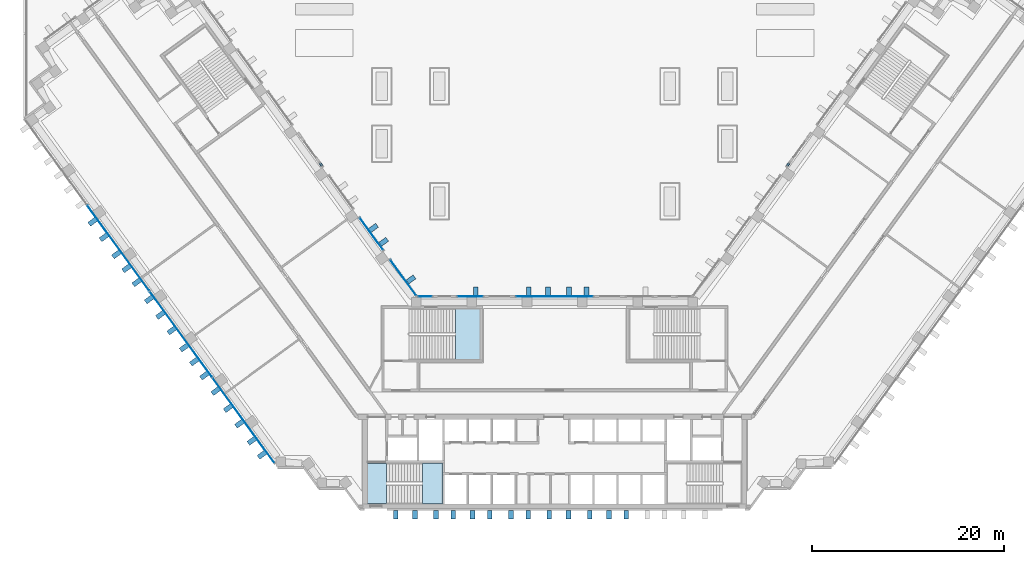
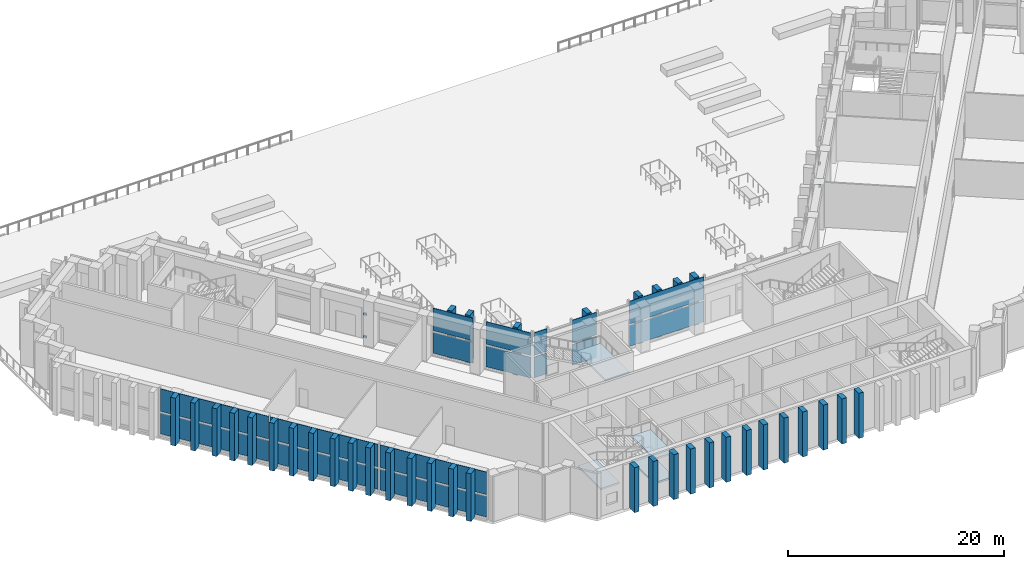
# One storey, part 8 of 25: 53 plates, 4 members, 4 slabs, 10 elements without a shape of their own.
"""IFC4 building model written with IfcOpenShell, lengths in metres."""

from ifc_helpers import new_model, si_unit, direction, frame, origin, origin_2d, place, context, subcontext, project, spatial, polyline, rectangle, outline, extrude, material, layer, layer_set, material_profile, profile_set, type_object, element, aggregate, save


model = new_model("IFC4")

# Units and contexts
model_context = context("Model", 3, precision=1e-05, world=origin(), true_north=direction((0.0, 1.0)))
body_context = subcontext(model_context, "Body", "Model", "MODEL_VIEW")
ifc_project = project(units=[si_unit("LENGTHUNIT", "METRE"), si_unit("AREAUNIT", "SQUARE_METRE"), si_unit("VOLUMEUNIT", "CUBIC_METRE"), si_unit("PLANEANGLEUNIT", "RADIAN"), si_unit("MASSUNIT", "GRAM", prefix="KILO")], contexts=[model_context])

# Site, building, storey
site_placement = place(None, origin())
site = spatial("IfcSite", under=ifc_project, at=site_placement, CompositionType="ELEMENT")
building_placement = place(site_placement, origin())
building = spatial("IfcBuilding", under=site, at=building_placement, Name="Quipu Civic Tower", CompositionType="ELEMENT")
storey_placement = place(building_placement, frame((0.0, 0.0, 6.0)))
storey = spatial("IfcBuildingStorey", under=building, at=storey_placement, Name="L01", CompositionType="ELEMENT", Elevation=6.0)

# Curtain wall, members
ifc_material_1 = material(Name="Insulated glass unit", Category="glass")
curtain_wall_type = type_object("IfcCurtainWallType", Name="Council chamber curtain wall CW4", PredefinedType="NOTDEFINED", material=ifc_material_1)
curtain_wall_1_placement = place(storey_placement, origin())
curtain_wall_1 = element("IfcCurtainWall", 1, at=curtain_wall_1_placement, inside=storey, type_object=curtain_wall_type, Name="Council chamber curtain wall CW4 L01 run 4", PredefinedType="NOTDEFINED")
ifc_material_2 = material(Name="Anodised aluminium", Category="aluminium")
ifc_material_profile = material_profile(ifc_material_2, rectangle(XDim=0.199951171875, YDim=0.199951171875, at=origin_2d()), Name="RECT 200x200")
ifc_profile_set = profile_set([ifc_material_profile], Name="Anodised aluminium")
member_type = type_object("IfcMemberType", Name="Transom CW4", PredefinedType="USERDEFINED", material=ifc_profile_set)
member_1_placement = place(storey_placement, frame((-24.224365234375, 24.69873046875, 0.199951171875), z_axis=(-0.587841905749, 0.808975830199, 0.0), x_axis=(-0.808975830199, -0.587841905749, 0.0)))
member_1 = element("IfcMember", 2, at=member_1_placement, type_object=member_type, Name="CW4 transom 1.1", ObjectType="TRANSOM", PredefinedType="USERDEFINED", context=body_context, shape_type="SweptSolid", body=[
    extrude(rectangle(XDim=0.199951171875, YDim=0.199951171875, at=origin_2d()), origin(), (0.0, 0.0, 1.0), 0.352294921875),
])
member_2_placement = place(storey_placement, frame((-24.224365234375, 24.69873046875, 2.75), z_axis=(-0.587841905749, 0.808975830199, 0.0), x_axis=(-0.808975830199, -0.587841905749, 0.0)))
member_2 = element("IfcMember", 3, at=member_2_placement, type_object=member_type, Name="CW4 transom 1.2", ObjectType="TRANSOM", PredefinedType="USERDEFINED", context=body_context, shape_type="SweptSolid", body=[
    extrude(rectangle(XDim=0.199951171875, YDim=0.199951171875, at=origin_2d()), origin(), (0.0, 0.0, 1.0), 0.352294921875),
])
aggregate(curtain_wall_1, [member_1, member_2])

curtain_wall_2_placement = place(storey_placement, origin())
curtain_wall_2 = element("IfcCurtainWall", 4, at=curtain_wall_2_placement, inside=storey, type_object=curtain_wall_type, Name="Council chamber curtain wall CW4 L01 run 50", PredefinedType="NOTDEFINED")
member_3_placement = place(storey_placement, frame((24.431396484375, 24.983642578125, 0.199951171875), z_axis=(-0.587841905749, -0.808975830199, 0.0), x_axis=(0.808975830199, -0.587841905749, 0.0)))
member_3 = element("IfcMember", 5, at=member_3_placement, type_object=member_type, Name="CW4 transom 1.1", ObjectType="TRANSOM", PredefinedType="USERDEFINED", context=body_context, shape_type="SweptSolid", body=[
    extrude(rectangle(XDim=0.199951171875, YDim=0.199951171875, at=origin_2d()), origin(), (0.0, 0.0, 1.0), 0.352294921875),
])
member_4_placement = place(storey_placement, frame((24.431396484375, 24.983642578125, 2.75), z_axis=(-0.587841905749, -0.808975830199, 0.0), x_axis=(0.808975830199, -0.587841905749, 0.0)))
member_4 = element("IfcMember", 6, at=member_4_placement, type_object=member_type, Name="CW4 transom 1.2", ObjectType="TRANSOM", PredefinedType="USERDEFINED", context=body_context, shape_type="SweptSolid", body=[
    extrude(rectangle(XDim=0.199951171875, YDim=0.199951171875, at=origin_2d()), origin(), (0.0, 0.0, 1.0), 0.352294921875),
])
aggregate(curtain_wall_2, [member_3, member_4])

# Curtain wall, plates
curtain_wall_3_placement = place(storey_placement, origin())
curtain_wall_3 = element("IfcCurtainWall", 7, at=curtain_wall_3_placement, inside=storey, type_object=curtain_wall_type, Name="Council chamber curtain wall CW4 L01 run 1", PredefinedType="NOTDEFINED")
ifc_material_3 = material(Name="Insulated glass unit", Category="glass")
ifc_layer_1 = layer(ifc_material_3, 0.048095703125)
ifc_layer_set_1 = layer_set([ifc_layer_1], Name="Insulated glass unit")
plate_type_1 = type_object("IfcPlateType", Name="Glass panel CW4", PredefinedType="CURTAIN_PANEL", material=ifc_layer_set_1)
plate_1_placement = place(storey_placement, frame((-15.769287109375, 13.0615234375, 0.300048828125), z_axis=(0.0, 0.0, 1.0), x_axis=(-0.587795194797, 0.809009770629, 0.0)))
plate_1 = element("IfcPlate", 8, at=plate_1_placement, type_object=plate_type_1, Name="CW4 panel 1.1", PredefinedType="CURTAIN_PANEL", context=body_context, shape_type="SweptSolid", body=[
    extrude(rectangle(XDim=4.529052734375, YDim=0.048095703125, at=origin_2d()), origin(), (0.0, 0.0, 1.0), 2.35009765625),
])
plate_2_placement = place(storey_placement, frame((-15.769287109375, 13.0615234375, 2.85009765625), z_axis=(0.0, 0.0, 1.0), x_axis=(-0.587795194797, 0.809009770629, 0.0)))
plate_2 = element("IfcPlate", 9, at=plate_2_placement, type_object=plate_type_1, Name="CW4 panel 1.2", PredefinedType="CURTAIN_PANEL", context=body_context, shape_type="SweptSolid", body=[
    extrude(rectangle(XDim=4.529052734375, YDim=0.048095703125, at=origin_2d()), origin(), (0.0, 0.0, 1.0), 2.550048828125),
])
aggregate(curtain_wall_3, [plate_1, plate_2])

curtain_wall_4_placement = place(storey_placement, origin())
curtain_wall_4 = element("IfcCurtainWall", 10, at=curtain_wall_4_placement, inside=storey, type_object=curtain_wall_type, Name="Council chamber curtain wall CW4 L01 run 2", PredefinedType="NOTDEFINED")
plate_3_placement = place(storey_placement, frame((-19.075439453125, 17.61181640625, 0.300048828125), z_axis=(0.0, 0.0, 1.0), x_axis=(-0.587800011079, 0.809006271283, 0.0)))
plate_3 = element("IfcPlate", 11, at=plate_3_placement, type_object=plate_type_1, Name="CW4 panel 1.1", PredefinedType="CURTAIN_PANEL", context=body_context, shape_type="SweptSolid", body=[
    extrude(rectangle(XDim=4.080078125, YDim=0.048095703125, at=origin_2d()), origin(), (0.0, 0.0, 1.0), 2.35009765625),
])
plate_4_placement = place(storey_placement, frame((-19.075439453125, 17.61181640625, 2.85009765625), z_axis=(0.0, 0.0, 1.0), x_axis=(-0.587800011079, 0.809006271283, 0.0)))
plate_4 = element("IfcPlate", 12, at=plate_4_placement, type_object=plate_type_1, Name="CW4 panel 1.2", PredefinedType="CURTAIN_PANEL", context=body_context, shape_type="SweptSolid", body=[
    extrude(rectangle(XDim=4.080078125, YDim=0.048095703125, at=origin_2d()), origin(), (0.0, 0.0, 1.0), 2.550048828125),
])
aggregate(curtain_wall_4, [plate_3, plate_4])

curtain_wall_5_placement = place(storey_placement, origin())
curtain_wall_5 = element("IfcCurtainWall", 13, at=curtain_wall_5_placement, inside=storey, type_object=curtain_wall_type, Name="Council chamber curtain wall CW4 L01 run 20", PredefinedType="NOTDEFINED")
plate_5_placement = place(storey_placement, frame((-45.448486328125, 16.142333984375, 0.300048828125), z_axis=(0.0, 0.0, 1.0), x_axis=(0.587785356329, -0.809016918788, 0.0)))
plate_5 = element("IfcPlate", 14, at=plate_5_placement, type_object=plate_type_1, Name="CW4 panel 2.1", PredefinedType="CURTAIN_PANEL", context=body_context, shape_type="SweptSolid", body=[
    extrude(rectangle(XDim=10.96142578125, YDim=0.048095703125, at=origin_2d()), origin(), (0.0, 0.0, 1.0), 2.35009765625),
])
plate_6_placement = place(storey_placement, frame((-45.448486328125, 16.142333984375, 2.85009765625), z_axis=(0.0, 0.0, 1.0), x_axis=(0.587785356329, -0.809016918788, 0.0)))
plate_6 = element("IfcPlate", 15, at=plate_6_placement, type_object=plate_type_1, Name="CW4 panel 2.2", PredefinedType="CURTAIN_PANEL", context=body_context, shape_type="SweptSolid", body=[
    extrude(rectangle(XDim=10.96142578125, YDim=0.048095703125, at=origin_2d()), origin(), (0.0, 0.0, 1.0), 2.550048828125),
])
plate_7_placement = place(storey_placement, frame((-38.911376953125, 7.14501953125, 0.300048828125), z_axis=(0.0, 0.0, 1.0), x_axis=(0.587785356329, -0.809016918788, 0.0)))
plate_7 = element("IfcPlate", 16, at=plate_7_placement, type_object=plate_type_1, Name="CW4 panel 3.1", PredefinedType="CURTAIN_PANEL", context=body_context, shape_type="SweptSolid", body=[
    extrude(rectangle(XDim=10.96142578125, YDim=0.048095703125, at=origin_2d()), origin(), (0.0, 0.0, 1.0), 2.35009765625),
])
plate_8_placement = place(storey_placement, frame((-38.911376953125, 7.14501953125, 2.85009765625), z_axis=(0.0, 0.0, 1.0), x_axis=(0.587785356329, -0.809016918788, 0.0)))
plate_8 = element("IfcPlate", 17, at=plate_8_placement, type_object=plate_type_1, Name="CW4 panel 3.2", PredefinedType="CURTAIN_PANEL", context=body_context, shape_type="SweptSolid", body=[
    extrude(rectangle(XDim=10.96142578125, YDim=0.048095703125, at=origin_2d()), origin(), (0.0, 0.0, 1.0), 2.550048828125),
])
plate_9_placement = place(storey_placement, frame((-32.39794921875, -1.8203125, 0.300048828125), z_axis=(0.0, 0.0, 1.0), x_axis=(0.587785356329, -0.809016918788, 0.0)))
plate_9 = element("IfcPlate", 18, at=plate_9_placement, type_object=plate_type_1, Name="CW4 panel 4.1", PredefinedType="CURTAIN_PANEL", context=body_context, shape_type="SweptSolid", body=[
    extrude(rectangle(XDim=10.881591796875, YDim=0.048095703125, at=origin_2d()), origin(), (0.0, 0.0, 1.0), 2.35009765625),
])
plate_10_placement = place(storey_placement, frame((-32.39794921875, -1.8203125, 2.85009765625), z_axis=(0.0, 0.0, 1.0), x_axis=(0.587785356329, -0.809016918788, 0.0)))
plate_10 = element("IfcPlate", 19, at=plate_10_placement, type_object=plate_type_1, Name="CW4 panel 4.2", PredefinedType="CURTAIN_PANEL", context=body_context, shape_type="SweptSolid", body=[
    extrude(rectangle(XDim=10.881591796875, YDim=0.048095703125, at=origin_2d()), origin(), (0.0, 0.0, 1.0), 2.550048828125),
])
aggregate(curtain_wall_5, [plate_5, plate_6, plate_7, plate_8, plate_9, plate_10])

curtain_wall_6_placement = place(storey_placement, origin())
curtain_wall_6 = element("IfcCurtainWall", 20, at=curtain_wall_6_placement, inside=storey, type_object=curtain_wall_type, Name="Council chamber curtain wall CW4 L01 run 58", PredefinedType="NOTDEFINED")
plate_11_placement = place(storey_placement, frame((0.0, 11.10009765625, 0.300048828125), z_axis=(0.0, 0.0, 1.0), x_axis=(-1.0, 0.0, 0.0)))
plate_11 = element("IfcPlate", 21, at=plate_11_placement, type_object=plate_type_1, Name="CW4 panel 1.1", PredefinedType="CURTAIN_PANEL", context=body_context, shape_type="SweptSolid", body=[
    extrude(rectangle(XDim=7.966552734375, YDim=0.048095703125, at=origin_2d()), origin(), (0.0, 0.0, 1.0), 2.35009765625),
])
plate_12_placement = place(storey_placement, frame((0.0, 11.10009765625, 2.85009765625), z_axis=(0.0, 0.0, 1.0), x_axis=(-1.0, 0.0, 0.0)))
plate_12 = element("IfcPlate", 22, at=plate_12_placement, type_object=plate_type_1, Name="CW4 panel 1.2", PredefinedType="CURTAIN_PANEL", context=body_context, shape_type="SweptSolid", body=[
    extrude(rectangle(XDim=7.966552734375, YDim=0.048095703125, at=origin_2d()), origin(), (0.0, 0.0, 1.0), 2.550048828125),
])
aggregate(curtain_wall_6, [plate_11, plate_12])

curtain_wall_7_placement = place(storey_placement, origin())
curtain_wall_7 = element("IfcCurtainWall", 23, at=curtain_wall_7_placement, inside=storey, type_object=curtain_wall_type, Name="Council chamber curtain wall CW4 L01 run 60", PredefinedType="NOTDEFINED")
plate_13_placement = place(storey_placement, frame((-8.797607421875, 11.10009765625, 0.300048828125), z_axis=(0.0, 0.0, 1.0), x_axis=(-1.0, 0.0, 0.0)))
plate_13 = element("IfcPlate", 24, at=plate_13_placement, type_object=plate_type_1, Name="CW4 panel 1.1", PredefinedType="CURTAIN_PANEL", context=body_context, shape_type="SweptSolid", body=[
    extrude(rectangle(XDim=2.611572265625, YDim=0.048095703125, at=origin_2d()), origin(), (0.0, 0.0, 1.0), 2.35009765625),
])
plate_14_placement = place(storey_placement, frame((-8.797607421875, 11.10009765625, 2.85009765625), z_axis=(0.0, 0.0, 1.0), x_axis=(-1.0, 0.0, 0.0)))
plate_14 = element("IfcPlate", 25, at=plate_14_placement, type_object=plate_type_1, Name="CW4 panel 1.2", PredefinedType="CURTAIN_PANEL", context=body_context, shape_type="SweptSolid", body=[
    extrude(rectangle(XDim=2.611572265625, YDim=0.048095703125, at=origin_2d()), origin(), (0.0, 0.0, 1.0), 2.550048828125),
])
aggregate(curtain_wall_7, [plate_13, plate_14])

curtain_wall_8_placement = place(storey_placement, origin())
curtain_wall_8 = element("IfcCurtainWall", 26, at=curtain_wall_8_placement, inside=storey, type_object=curtain_wall_type, Name="Council chamber curtain wall CW4 L01 run 62", PredefinedType="NOTDEFINED")
plate_15_placement = place(storey_placement, frame((-13.49951171875, 11.10009765625, 0.300048828125), z_axis=(0.0, 0.0, 1.0), x_axis=(-1.0, 0.0, 0.0)))
plate_15 = element("IfcPlate", 27, at=plate_15_placement, type_object=plate_type_1, Name="CW4 panel 1.1", PredefinedType="CURTAIN_PANEL", context=body_context, shape_type="SweptSolid", body=[
    extrude(rectangle(XDim=1.369140625, YDim=0.048095703125, at=origin_2d()), origin(), (0.0, 0.0, 1.0), 2.35009765625),
])
plate_16_placement = place(storey_placement, frame((-13.49951171875, 11.10009765625, 2.85009765625), z_axis=(0.0, 0.0, 1.0), x_axis=(-1.0, 0.0, 0.0)))
plate_16 = element("IfcPlate", 28, at=plate_16_placement, type_object=plate_type_1, Name="CW4 panel 1.2", PredefinedType="CURTAIN_PANEL", context=body_context, shape_type="SweptSolid", body=[
    extrude(rectangle(XDim=1.369140625, YDim=0.048095703125, at=origin_2d()), origin(), (0.0, 0.0, 1.0), 2.550048828125),
])
aggregate(curtain_wall_8, [plate_15, plate_16])

# Plates
ifc_material_4 = material(Name="Precast concrete C40/50", Category="concrete")
plate_type_2 = type_object("IfcPlateType", Name="Precast fin F0", PredefinedType="SHEET", material=ifc_material_4)
for number, where, z_axis, x_axis, name in (
    (29, (-14.956787109375, 12.878662109375, 0.10009765625), (0.0, 0.0, 1.0), (-0.587784944053, 0.809017218324, 0.0), "Precast fin F0 L01.1.1"),
    (30, (-17.802734375, 16.7958984375, 0.10009765625), (0.0, 0.0, 1.0), (-0.587784944053, 0.809017218324, 0.0), "Precast fin F0 L01.2.1"),
    (31, (-18.860595703125, 18.251953125, 0.10009765625), (0.0, 0.0, 1.0), (-0.587784944053, 0.809017218324, 0.0), "Precast fin F0 L01.2.2"),
    (32, (-48.11669921875, 18.87890625, 0.10009765625), (0.0, 0.0, 1.0), (0.587785716149, -0.809016657363, 0.0), "Precast fin F0 L01.20.7"),
    (33, (-46.94091796875, 17.260986328125, 0.10009765625), (0.0, 0.0, 1.0), (0.587785716149, -0.809016657363, 0.0), "Precast fin F0 L01.20.8"),
    (34, (-45.64794921875, 15.481201171875, 0.10009765625), (0.0, 0.0, 1.0), (0.587785716149, -0.809016657363, 0.0), "Precast fin F0 L01.20.9"),
    (35, (-44.58984375, 14.02490234375, 0.10009765625), (0.0, 0.0, 1.0), (0.587785716149, -0.809016657363, 0.0), "Precast fin F0 L01.20.10"),
    (36, (-43.531982421875, 12.568603515625, 0.10009765625), (0.0, 0.0, 1.0), (0.587785716149, -0.809016657363, 0.0), "Precast fin F0 L01.20.11"),
    (37, (-42.23876953125, 10.788818359375, 0.10009765625), (0.0, 0.0, 1.0), (0.587785716149, -0.809016657363, 0.0), "Precast fin F0 L01.20.12"),
    (38, (-41.063232421875, 9.1708984375, 0.10009765625), (0.0, 0.0, 1.0), (0.587785716149, -0.809016657363, 0.0), "Precast fin F0 L01.20.13"),
    (39, (-39.8876953125, 7.552734375, 0.10009765625), (0.0, 0.0, 1.0), (0.587785716149, -0.809016657363, 0.0), "Precast fin F0 L01.20.14"),
    (40, (-38.594482421875, 5.77294921875, 0.10009765625), (0.0, 0.0, 1.0), (0.587785716149, -0.809016657363, 0.0), "Precast fin F0 L01.20.15"),
    (41, (-37.536376953125, 4.316650390625, 0.10009765625), (0.0, 0.0, 1.0), (0.587785716149, -0.809016657363, 0.0), "Precast fin F0 L01.20.16"),
    (42, (-36.478515625, 2.860595703125, 0.10009765625), (0.0, 0.0, 1.0), (0.587785716149, -0.809016657363, 0.0), "Precast fin F0 L01.20.17"),
    (43, (-35.302978515625, 1.242431640625, 0.10009765625), (0.0, 0.0, 1.0), (0.587785716149, -0.809016657363, 0.0), "Precast fin F0 L01.20.18"),
    (44, (-34.009765625, -0.537353515625, 0.10009765625), (0.0, 0.0, 1.0), (0.587785716149, -0.809016657363, 0.0), "Precast fin F0 L01.20.19"),
    (45, (-32.834228515625, -2.155517578125, 0.10009765625), (0.0, 0.0, 1.0), (0.587785716149, -0.809016657363, 0.0), "Precast fin F0 L01.20.20"),
    (46, (-31.541015625, -3.935302734375, 0.10009765625), (0.0, 0.0, 1.0), (0.587785716149, -0.809016657363, 0.0), "Precast fin F0 L01.20.21"),
    (47, (-30.48291015625, -5.391357421875, 0.10009765625), (0.0, 0.0, 1.0), (0.587785716149, -0.809016657363, 0.0), "Precast fin F0 L01.20.22"),
):
    element("IfcPlate", number, at=place(storey_placement, frame(where, z_axis=z_axis, x_axis=x_axis)), inside=storey, type_object=plate_type_2, Name=name, PredefinedType="SHEET", context=body_context, shape_type="SweptSolid", body=[
        extrude(rectangle(XDim=0.5, YDim=0.89990234375, at=origin_2d()), origin(), (0.0, 0.0, 1.0), 5.39990234375),
    ])
for number, where, z_axis, x_axis, name in (
    (48, (-16.550048828125, -11.637939453125, 0.0), (0.0, 0.0, 1.0), (1.0, 0.0, 0.0), "Precast fin F0 L01.27.1"),
    (49, (-14.550048828125, -11.637939453125, 0.0), (0.0, 0.0, 1.0), (1.0, 0.0, 0.0), "Precast fin F0 L01.27.2"),
    (50, (-12.35009765625, -11.637939453125, 0.0), (0.0, 0.0, 1.0), (1.0, 0.0, 0.0), "Precast fin F0 L01.27.3"),
    (51, (-10.550048828125, -11.637939453125, 0.0), (0.0, 0.0, 1.0), (1.0, 0.0, 0.0), "Precast fin F0 L01.27.4"),
    (52, (-8.550048828125, -11.637939453125, 0.0), (0.0, 0.0, 1.0), (1.0, 0.0, 0.0), "Precast fin F0 L01.27.5"),
    (53, (-6.75, -11.637939453125, 0.0), (0.0, 0.0, 1.0), (1.0, 0.0, 0.0), "Precast fin F0 L01.27.6"),
    (54, (-4.550048828125, -11.637939453125, 0.0), (0.0, 0.0, 1.0), (1.0, 0.0, 0.0), "Precast fin F0 L01.27.7"),
    (55, (-2.75, -11.637939453125, 0.0), (0.0, 0.0, 1.0), (1.0, 0.0, 0.0), "Precast fin F0 L01.27.8"),
    (56, (-0.550048828125, -11.637939453125, 0.0), (0.0, 0.0, 1.0), (1.0, 0.0, 0.0), "Precast fin F0 L01.27.9"),
    (57, (1.449951171875, -11.637939453125, 0.0), (0.0, 0.0, 1.0), (1.0, 0.0, 0.0), "Precast fin F0 L01.27.10"),
    (58, (3.64990234375, -11.637939453125, 0.0), (0.0, 0.0, 1.0), (1.0, 0.0, 0.0), "Precast fin F0 L01.27.11"),
    (59, (5.64990234375, -11.637939453125, 0.0), (0.0, 0.0, 1.0), (1.0, 0.0, 0.0), "Precast fin F0 L01.27.12"),
    (60, (7.449951171875, -11.637939453125, 0.0), (0.0, 0.0, 1.0), (1.0, 0.0, 0.0), "Precast fin F0 L01.27.13"),
):
    element("IfcPlate", number, at=place(storey_placement, frame(where, z_axis=z_axis, x_axis=x_axis)), inside=storey, type_object=plate_type_2, Name=name, PredefinedType="SHEET", context=body_context, shape_type="SweptSolid", body=[
        extrude(rectangle(XDim=0.5, YDim=0.89990234375, at=origin_2d()), origin(), (0.0, 0.0, 1.0), 5.10009765625),
    ])
for number, where, z_axis, x_axis, name in (
    (61, (3.30810546875, 11.64990234375, 0.10009765625), (0.0, 0.0, 1.0), (-1.0, 0.0, 0.0), "Precast fin F0 L01.58.1"),
    (62, (1.508056640625, 11.64990234375, 0.10009765625), (0.0, 0.0, 1.0), (-1.0, 0.0, 0.0), "Precast fin F0 L01.58.2"),
    (63, (-0.69189453125, 11.64990234375, 0.10009765625), (0.0, 0.0, 1.0), (-1.0, 0.0, 0.0), "Precast fin F0 L01.58.3"),
    (64, (-2.69189453125, 11.64990234375, 0.10009765625), (0.0, 0.0, 1.0), (-1.0, 0.0, 0.0), "Precast fin F0 L01.58.4"),
    (65, (-8.2080078125, 11.64990234375, 0.10009765625), (0.0, 0.0, 1.0), (-1.0, 0.0, 0.0), "Precast fin F0 L01.60.1"),
):
    element("IfcPlate", number, at=place(storey_placement, frame(where, z_axis=z_axis, x_axis=x_axis)), inside=storey, type_object=plate_type_2, Name=name, PredefinedType="SHEET", context=body_context, shape_type="SweptSolid", body=[
        extrude(rectangle(XDim=0.5, YDim=0.89990234375, at=origin_2d()), origin(), (0.0, 0.0, 1.0), 5.39990234375),
    ])

# Stair, slabs
ifc_material_5 = material(Name="Concrete C40/50", Category="concrete")
stair_type_1 = type_object("IfcStairType", Name="Half turn stair 2000", PredefinedType="HALF_TURN_STAIR", material=ifc_material_5)
stair_1_placement = place(storey_placement, origin())
stair_1 = element("IfcStair", 66, at=stair_1_placement, inside=storey, type_object=stair_type_1, Name="Exit stair 1", PredefinedType="HALF_TURN_STAIR")
ifc_material_6 = material(Name="Concrete C40/50", Category="concrete")
ifc_layer_2 = layer(ifc_material_6, 0.199951171875)
ifc_layer_set_2 = layer_set([ifc_layer_2], Name="Concrete C40/50")
slab_type = type_object("IfcSlabType", Name="Stair landing 200", PredefinedType="LANDING", material=ifc_layer_set_2)
slab_1_placement = place(storey_placement, frame((0.0, 0.0, 1.175048828125)))
slab_1 = element("IfcSlab", 67, at=slab_1_placement, type_object=slab_type, Name="ST-1 landing 1", PredefinedType="LANDING", context=body_context, shape_type="SweptSolid", body=[
    extrude(outline(polyline([(-13.780029296875, -10.5), (-11.699951171875, -10.5), (-11.699951171875, -6.25), (-13.780029296875, -6.25), (-13.780029296875, -10.5)])), origin(), (0.0, 0.0, 1.0), 0.199951171875),
])
slab_2_placement = place(storey_placement, frame((0.0, 0.0, 2.550048828125)))
slab_2 = element("IfcSlab", 68, at=slab_2_placement, type_object=slab_type, Name="ST-1 landing 2", PredefinedType="LANDING", context=body_context, shape_type="SweptSolid", body=[
    extrude(outline(polyline([(-19.5, -10.5), (-17.5, -10.5), (-17.5, -6.25), (-19.5, -6.25), (-19.5, -10.5)])), origin(), (0.0, 0.0, 1.0), 0.199951171875),
])
slab_3_placement = place(storey_placement, frame((0.0, 0.0, 3.925048828125)))
slab_3 = element("IfcSlab", 69, at=slab_3_placement, type_object=slab_type, Name="ST-1 landing 3", PredefinedType="LANDING", context=body_context, shape_type="SweptSolid", body=[
    extrude(outline(polyline([(-13.780029296875, -10.5), (-11.699951171875, -10.5), (-11.699951171875, -6.25), (-13.780029296875, -6.25), (-13.780029296875, -10.5)])), origin(), (0.0, 0.0, 1.0), 0.199951171875),
])
aggregate(stair_1, [slab_1, slab_2, slab_3])

# Stair, slab
ifc_material_7 = material(Name="Concrete C40/50", Category="concrete")
stair_type_2 = type_object("IfcStairType", Name="Half turn stair 2600", PredefinedType="HALF_TURN_STAIR", material=ifc_material_7)
stair_2_placement = place(storey_placement, origin())
stair_2 = element("IfcStair", 70, at=stair_2_placement, inside=storey, type_object=stair_type_2, Name="Exit stair 3", PredefinedType="HALF_TURN_STAIR")
slab_4_placement = place(storey_placement, frame((0.0, 0.0, 2.550048828125)))
slab_4 = element("IfcSlab", 71, at=slab_4_placement, type_object=slab_type, Name="ST-3 landing 1", PredefinedType="LANDING", context=body_context, shape_type="SweptSolid", body=[
    extrude(outline(polyline([(-10.35009765625, 4.5), (-7.75, 4.5), (-7.75, 9.85009765625), (-10.35009765625, 9.85009765625), (-10.35009765625, 4.5)])), origin(), (0.0, 0.0, 1.0), 0.199951171875),
])
aggregate(stair_2, [slab_4])

save(model, "model.ifc")
